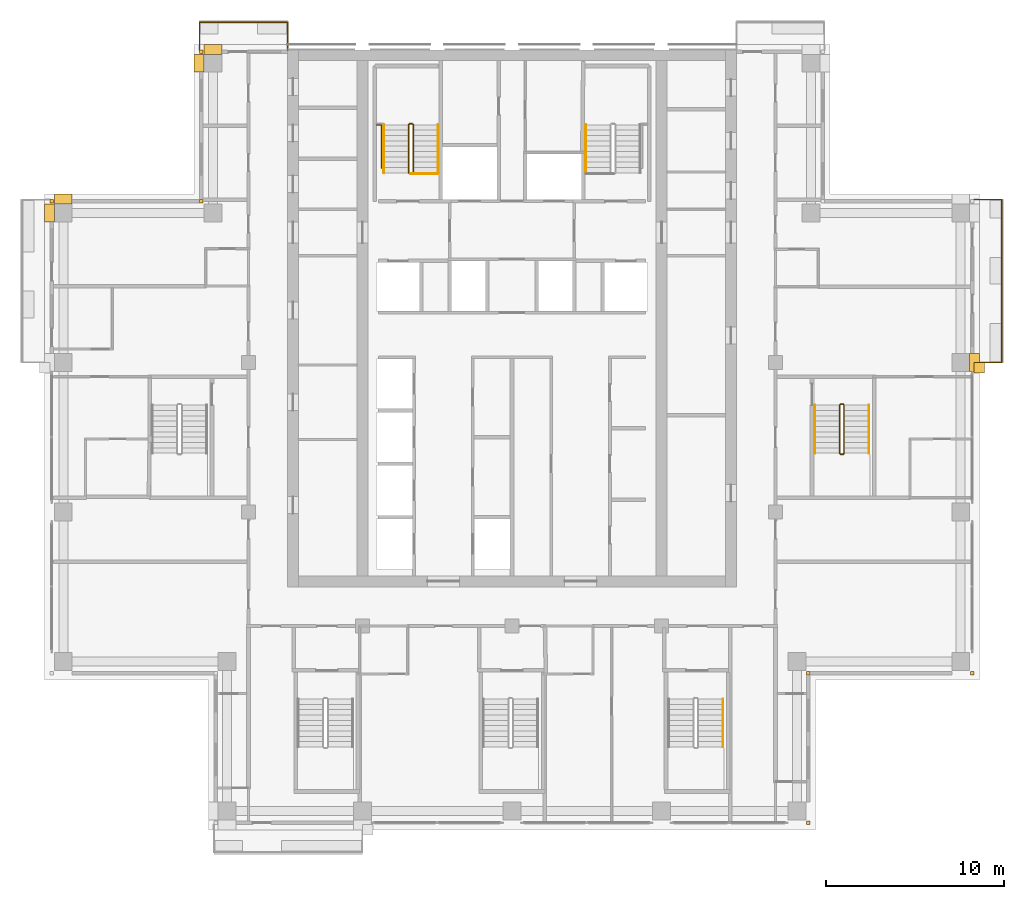
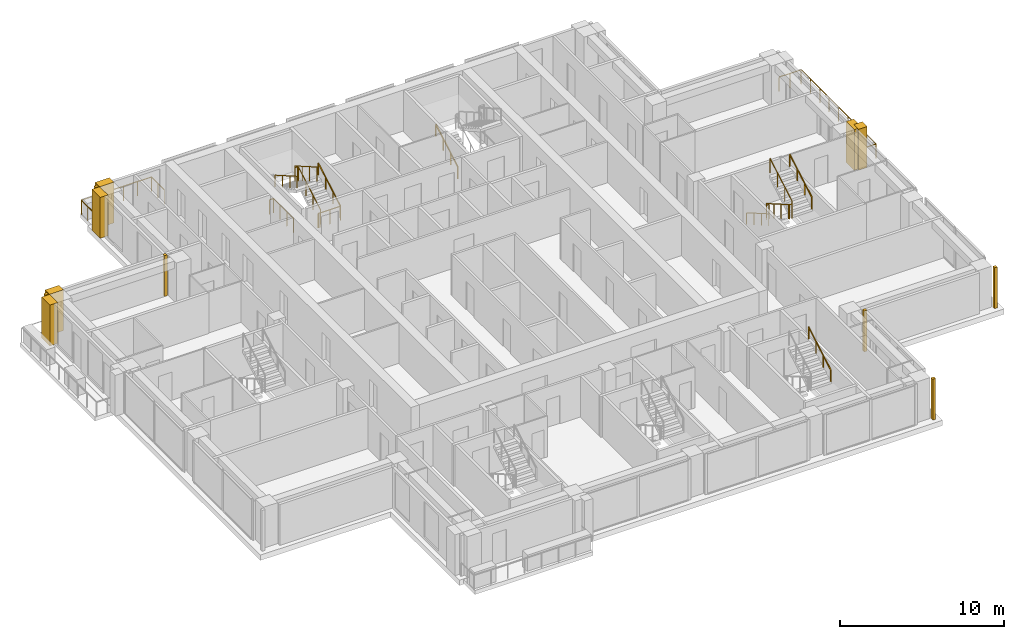
# One storey, part 15 of 16: 12 coverings, 12 railings.
"""IFC4 building model written with IfcOpenShell, lengths in metres."""

from ifc_helpers import new_model, si_unit, direction, frame, origin, origin_2d, place, context, subcontext, project, spatial, polyline, rectangle, outline, extrude, material, type_object, element, save


model = new_model("IFC4")

# Units and contexts
model_context = context("Model", 3, precision=1e-05, world=origin(), true_north=direction((0.0, 1.0)))
body_context = subcontext(model_context, "Body", "Model", "MODEL_VIEW")
ifc_project = project(units=[si_unit("LENGTHUNIT", "METRE"), si_unit("AREAUNIT", "SQUARE_METRE"), si_unit("VOLUMEUNIT", "CUBIC_METRE"), si_unit("PLANEANGLEUNIT", "RADIAN"), si_unit("MASSUNIT", "GRAM", prefix="KILO")], contexts=[model_context])

# Site, building, storey
site_placement = place(None, origin())
site = spatial("IfcSite", under=ifc_project, at=site_placement, CompositionType="ELEMENT")
building_placement = place(site_placement, origin())
building = spatial("IfcBuilding", under=site, at=building_placement, Name="Vermilion Ogive Tower", CompositionType="ELEMENT")
storey_placement = place(building_placement, frame((0.0, 0.0, 179.0)))
storey = spatial("IfcBuildingStorey", under=building, at=storey_placement, Name="L46", CompositionType="ELEMENT", Elevation=179.0)

# Railings
ifc_material_1 = material(Name="Stainless steel and glass", Category="steel")
railing_type_1 = type_object("IfcRailingType", Name="Balcony guard", PredefinedType="GUARDRAIL", material=ifc_material_1)
railing_1_placement = place(storey_placement, frame((25.949951171875, 4.199951171875, -0.0400390625)))
element("IfcRailing", 1, at=railing_1_placement, inside=storey, type_object=railing_type_1, Name="Guard E03", PredefinedType="GUARDRAIL", context=body_context, shape_type="SweptSolid", body=[
    extrude(rectangle(XDim=0.048095703125, YDim=0.048095703125, at=origin_2d()), frame((0.0, 0.0, 1.076171875), z_axis=(1.0, 0.0, 0.0), x_axis=(0.0, 1.0, 0.0)), (0.0, 0.0, 1.0), 1.56396484375),
    extrude(rectangle(XDim=0.048095703125, YDim=0.048095703125, at=origin_2d()), frame((1.56396484375, 0.0, 1.076171875), z_axis=(0.0, 1.0, 0.0), x_axis=(-1.0, 0.0, 0.0)), (0.0, 0.0, 1.0), 9.150146484375),
    extrude(rectangle(XDim=0.048095703125, YDim=0.048095703125, at=origin_2d()), frame((1.56396484375, 9.150146484375, 1.076171875), z_axis=(-1.0, 0.0, 0.0), x_axis=(0.0, -1.0, 0.0)), (0.0, 0.0, 1.0), 1.56396484375),
    extrude(rectangle(XDim=0.0419921875, YDim=0.0419921875, at=origin_2d()), origin(), (0.0, 0.0, 1.0), 1.052001953125),
    extrude(rectangle(XDim=0.0419921875, YDim=0.0419921875, at=origin_2d()), frame((0.781982421875, 0.0, 0.0)), (0.0, 0.0, 1.0), 1.052001953125),
    extrude(rectangle(XDim=0.0419921875, YDim=0.0419921875, at=origin_2d()), frame((1.56396484375, 0.0, 0.0)), (0.0, 0.0, 1.0), 1.052001953125),
    extrude(rectangle(XDim=0.0419921875, YDim=0.0419921875, at=origin_2d()), frame((1.56396484375, 1.143798828125, 0.0)), (0.0, 0.0, 1.0), 1.052001953125),
    extrude(rectangle(XDim=0.0419921875, YDim=0.0419921875, at=origin_2d()), frame((1.56396484375, 2.28759765625, 0.0)), (0.0, 0.0, 1.0), 1.052001953125),
    extrude(rectangle(XDim=0.0419921875, YDim=0.0419921875, at=origin_2d()), frame((1.56396484375, 3.431396484375, 0.0)), (0.0, 0.0, 1.0), 1.052001953125),
    extrude(rectangle(XDim=0.0419921875, YDim=0.0419921875, at=origin_2d()), frame((1.56396484375, 4.5751953125, 0.0)), (0.0, 0.0, 1.0), 1.052001953125),
    extrude(rectangle(XDim=0.0419921875, YDim=0.0419921875, at=origin_2d()), frame((1.56396484375, 5.71875, 0.0)), (0.0, 0.0, 1.0), 1.052001953125),
    extrude(rectangle(XDim=0.0419921875, YDim=0.0419921875, at=origin_2d()), frame((1.56396484375, 6.862548828125, 0.0)), (0.0, 0.0, 1.0), 1.052001953125),
    extrude(rectangle(XDim=0.0419921875, YDim=0.0419921875, at=origin_2d()), frame((1.56396484375, 8.00634765625, 0.0)), (0.0, 0.0, 1.0), 1.052001953125),
    extrude(rectangle(XDim=0.0419921875, YDim=0.0419921875, at=origin_2d()), frame((1.56396484375, 9.150146484375, 0.0)), (0.0, 0.0, 1.0), 1.052001953125),
    extrude(rectangle(XDim=0.0419921875, YDim=0.0419921875, at=origin_2d()), frame((0.781982421875, 9.150146484375, 0.0)), (0.0, 0.0, 1.0), 1.052001953125),
    extrude(rectangle(XDim=0.0419921875, YDim=0.0419921875, at=origin_2d()), frame((0.0, 9.150146484375, 0.0)), (0.0, 0.0, 1.0), 1.052001953125),
])
railing_2_placement = place(storey_placement, frame((-12.60009765625, 21.75, -0.0400390625)))
element("IfcRailing", 2, at=railing_2_placement, inside=storey, type_object=railing_type_1, Name="Guard N201", PredefinedType="GUARDRAIL", context=body_context, shape_type="SweptSolid", body=[
    extrude(rectangle(XDim=0.048095703125, YDim=0.048095703125, at=origin_2d()), frame((0.0, 0.0, 1.076171875), z_axis=(0.0, 1.0, 0.0), x_axis=(-1.0, 0.0, 0.0)), (0.0, 0.0, 1.0), 1.56396484375),
    extrude(rectangle(XDim=0.048095703125, YDim=0.048095703125, at=origin_2d()), frame((0.0, 1.56396484375, 1.076171875), z_axis=(-1.0, 0.0, 0.0), x_axis=(0.0, -1.0, 0.0)), (0.0, 0.0, 1.0), 4.949951171875),
    extrude(rectangle(XDim=0.048095703125, YDim=0.048095703125, at=origin_2d()), frame((-4.949951171875, 1.56396484375, 1.076171875), z_axis=(0.0, -1.0, 0.0), x_axis=(1.0, 0.0, 0.0)), (0.0, 0.0, 1.0), 1.56396484375),
    extrude(rectangle(XDim=0.0419921875, YDim=0.0419921875, at=origin_2d()), origin(), (0.0, 0.0, 1.0), 1.052001953125),
    extrude(rectangle(XDim=0.0419921875, YDim=0.0419921875, at=origin_2d()), frame((0.0, 0.781982421875, 0.0)), (0.0, 0.0, 1.0), 1.052001953125),
    extrude(rectangle(XDim=0.0419921875, YDim=0.0419921875, at=origin_2d()), frame((0.0, 1.56396484375, 0.0)), (0.0, 0.0, 1.0), 1.052001953125),
    extrude(rectangle(XDim=0.0419921875, YDim=0.0419921875, at=origin_2d()), frame((-0.989990234375, 1.56396484375, 0.0)), (0.0, 0.0, 1.0), 1.052001953125),
    extrude(rectangle(XDim=0.0419921875, YDim=0.0419921875, at=origin_2d()), frame((-1.97998046875, 1.56396484375, 0.0)), (0.0, 0.0, 1.0), 1.052001953125),
    extrude(rectangle(XDim=0.0419921875, YDim=0.0419921875, at=origin_2d()), frame((-2.969970703125, 1.56396484375, 0.0)), (0.0, 0.0, 1.0), 1.052001953125),
    extrude(rectangle(XDim=0.0419921875, YDim=0.0419921875, at=origin_2d()), frame((-3.9599609375, 1.56396484375, 0.0)), (0.0, 0.0, 1.0), 1.052001953125),
    extrude(rectangle(XDim=0.0419921875, YDim=0.0419921875, at=origin_2d()), frame((-4.949951171875, 1.56396484375, 0.0)), (0.0, 0.0, 1.0), 1.052001953125),
    extrude(rectangle(XDim=0.0419921875, YDim=0.0419921875, at=origin_2d()), frame((-4.949951171875, 0.781982421875, 0.0)), (0.0, 0.0, 1.0), 1.052001953125),
    extrude(rectangle(XDim=0.0419921875, YDim=0.0419921875, at=origin_2d()), frame((-4.949951171875, 0.0, 0.0)), (0.0, 0.0, 1.0), 1.052001953125),
])
ifc_material_2 = material(Name="Steel S355 painted", Category="steel")
railing_type_2 = type_object("IfcRailingType", Name="Stair guard 1100", PredefinedType="GUARDRAIL", material=ifc_material_2)
railing_3_placement = place(storey_placement, frame((-5.75, 14.800048828125, 0.0)))
element("IfcRailing", 3, at=railing_3_placement, inside=storey, type_object=railing_type_2, Name="L46 ST1 stair guard 4", PredefinedType="GUARDRAIL", context=body_context, shape_type="SweptSolid", body=[
    extrude(rectangle(XDim=0.048095703125, YDim=0.048095703125, at=origin_2d()), frame((0.0, 0.0, 1.076171875), z_axis=(1.0, 0.0, 0.0), x_axis=(0.0, 1.0, 0.0)), (0.0, 0.0, 1.0), 0.14990234375),
    extrude(rectangle(XDim=0.048095703125, YDim=0.048095703125, at=origin_2d()), frame((0.14990234375, 0.0, 1.076171875), z_axis=(0.268277960024, 0.268277960024, 0.925231793839), x_axis=(-0.707106781187, 0.707106781187, 0.0)), (0.0, 0.0, 1.0), 0.1865234375),
    extrude(rectangle(XDim=0.048095703125, YDim=0.048095703125, at=origin_2d()), frame((0.199951171875, 0.050048828125, 1.24853515625), z_axis=(0.0, 0.866903762492, 0.498475542607), x_axis=(-1.0, 0.0, 0.0)), (0.0, 0.0, 1.0), 3.114501953125),
    extrude(rectangle(XDim=0.048095703125, YDim=0.048095703125, at=origin_2d()), frame((0.199951171875, 2.75, 2.80126953125), z_axis=(-0.707106781187, 0.707106781187, 0.0), x_axis=(-0.707106781187, -0.707106781187, 0.0)), (0.0, 0.0, 1.0), 0.07080078125),
    extrude(rectangle(XDim=0.048095703125, YDim=0.048095703125, at=origin_2d()), frame((0.14990234375, 2.800048828125, 2.80126953125), z_axis=(-1.0, 0.0, 0.0), x_axis=(0.0, -1.0, 0.0)), (0.0, 0.0, 1.0), 0.14990234375),
    extrude(rectangle(XDim=0.048095703125, YDim=0.048095703125, at=origin_2d()), frame((0.0, 2.800048828125, 2.80126953125), z_axis=(-0.268603158521, -0.268603158521, 0.925043072762), x_axis=(0.707106781187, -0.707106781187, 0.0)), (0.0, 0.0, 1.0), 0.186279296875),
    extrude(rectangle(XDim=0.048095703125, YDim=0.048095703125, at=origin_2d()), frame((-0.050048828125, 2.75, 2.9736328125), z_axis=(0.0, -0.866903762492, 0.498475542607), x_axis=(1.0, 0.0, 0.0)), (0.0, 0.0, 1.0), 3.114501953125),
    extrude(rectangle(XDim=0.0419921875, YDim=0.0419921875, at=origin_2d()), origin(), (0.0, 0.0, 1.0), 1.052001953125),
    extrude(rectangle(XDim=0.0419921875, YDim=0.0419921875, at=origin_2d()), frame((0.14990234375, 0.0, 0.0)), (0.0, 0.0, 1.0), 1.052001953125),
    extrude(rectangle(XDim=0.0419921875, YDim=0.0419921875, at=origin_2d()), frame((0.199951171875, 0.050048828125, 0.172607421875)), (0.0, 0.0, 1.0), 1.052001953125),
    extrude(rectangle(XDim=0.0419921875, YDim=0.0419921875, at=origin_2d()), frame((0.199951171875, 0.949951171875, 0.690185546875)), (0.0, 0.0, 1.0), 1.052001953125),
    extrude(rectangle(XDim=0.0419921875, YDim=0.0419921875, at=origin_2d()), frame((0.199951171875, 1.85009765625, 1.20751953125)), (0.0, 0.0, 1.0), 1.052001953125),
    extrude(rectangle(XDim=0.0419921875, YDim=0.0419921875, at=origin_2d()), frame((0.199951171875, 2.75, 1.72509765625)), (0.0, 0.0, 1.0), 1.052001953125),
    extrude(rectangle(XDim=0.0419921875, YDim=0.0419921875, at=origin_2d()), frame((0.14990234375, 2.800048828125, 1.72509765625)), (0.0, 0.0, 1.0), 1.052001953125),
    extrude(rectangle(XDim=0.0419921875, YDim=0.0419921875, at=origin_2d()), frame((0.0, 2.800048828125, 1.72509765625)), (0.0, 0.0, 1.0), 1.052001953125),
    extrude(rectangle(XDim=0.0419921875, YDim=0.0419921875, at=origin_2d()), frame((-0.050048828125, 2.75, 1.8974609375)), (0.0, 0.0, 1.0), 1.052001953125),
    extrude(rectangle(XDim=0.0419921875, YDim=0.0419921875, at=origin_2d()), frame((-0.050048828125, 1.85009765625, 2.4150390625)), (0.0, 0.0, 1.0), 1.052001953125),
    extrude(rectangle(XDim=0.0419921875, YDim=0.0419921875, at=origin_2d()), frame((-0.050048828125, 0.949951171875, 2.932373046875)), (0.0, 0.0, 1.0), 1.052001953125),
    extrude(rectangle(XDim=0.0419921875, YDim=0.0419921875, at=origin_2d()), frame((-0.050048828125, 0.050048828125, 3.449951171875)), (0.0, 0.0, 1.0), 1.052001953125),
])
railing_4_placement = place(storey_placement, frame((18.60009765625, 1.85009765625, 0.0)))
element("IfcRailing", 4, at=railing_4_placement, inside=storey, type_object=railing_type_2, Name="L46 ST8 stair guard 4", PredefinedType="GUARDRAIL", context=body_context, shape_type="SweptSolid", body=[
    extrude(rectangle(XDim=0.048095703125, YDim=0.048095703125, at=origin_2d()), frame((0.0, 0.0, 1.076171875), z_axis=(-1.0, 0.0, 0.0), x_axis=(0.0, -1.0, 0.0)), (0.0, 0.0, 1.0), 0.150146484375),
    extrude(rectangle(XDim=0.048095703125, YDim=0.048095703125, at=origin_2d()), frame((-0.150146484375, 0.0, 1.076171875), z_axis=(-0.268277960024, -0.268277960024, 0.925231793839), x_axis=(0.707106781187, -0.707106781187, 0.0)), (0.0, 0.0, 1.0), 0.1865234375),
    extrude(rectangle(XDim=0.048095703125, YDim=0.048095703125, at=origin_2d()), frame((-0.2001953125, -0.050048828125, 1.24853515625), z_axis=(0.0, -0.866903762492, 0.498475542607), x_axis=(1.0, 0.0, 0.0)), (0.0, 0.0, 1.0), 3.114501953125),
    extrude(rectangle(XDim=0.048095703125, YDim=0.048095703125, at=origin_2d()), frame((-0.2001953125, -2.75, 2.80126953125), z_axis=(0.707106781187, -0.707106781187, 0.0), x_axis=(0.707106781187, 0.707106781187, 0.0)), (0.0, 0.0, 1.0), 0.07080078125),
    extrude(rectangle(XDim=0.048095703125, YDim=0.048095703125, at=origin_2d()), frame((-0.150146484375, -2.800048828125, 2.80126953125), z_axis=(1.0, 0.0, 0.0), x_axis=(0.0, 1.0, 0.0)), (0.0, 0.0, 1.0), 0.150146484375),
    extrude(rectangle(XDim=0.048095703125, YDim=0.048095703125, at=origin_2d()), frame((0.0, -2.800048828125, 2.80126953125), z_axis=(0.267386790225, 0.268697509785, 0.925368009307), x_axis=(-0.708833529934, 0.705375805398, 0.0)), (0.0, 0.0, 1.0), 0.186279296875),
    extrude(rectangle(XDim=0.048095703125, YDim=0.048095703125, at=origin_2d()), frame((0.0498046875, -2.75, 2.9736328125), z_axis=(0.0, 0.866903762492, 0.498475542607), x_axis=(-1.0, 0.0, 0.0)), (0.0, 0.0, 1.0), 3.114501953125),
    extrude(rectangle(XDim=0.0419921875, YDim=0.0419921875, at=origin_2d()), origin(), (0.0, 0.0, 1.0), 1.052001953125),
    extrude(rectangle(XDim=0.0419921875, YDim=0.0419921875, at=origin_2d()), frame((-0.150146484375, 0.0, 0.0)), (0.0, 0.0, 1.0), 1.052001953125),
    extrude(rectangle(XDim=0.0419921875, YDim=0.0419921875, at=origin_2d()), frame((-0.2001953125, -0.050048828125, 0.172607421875)), (0.0, 0.0, 1.0), 1.052001953125),
    extrude(rectangle(XDim=0.0419921875, YDim=0.0419921875, at=origin_2d()), frame((-0.2001953125, -0.949951171875, 0.690185546875)), (0.0, 0.0, 1.0), 1.052001953125),
    extrude(rectangle(XDim=0.0419921875, YDim=0.0419921875, at=origin_2d()), frame((-0.2001953125, -1.85009765625, 1.20751953125)), (0.0, 0.0, 1.0), 1.052001953125),
    extrude(rectangle(XDim=0.0419921875, YDim=0.0419921875, at=origin_2d()), frame((-0.2001953125, -2.75, 1.72509765625)), (0.0, 0.0, 1.0), 1.052001953125),
    extrude(rectangle(XDim=0.0419921875, YDim=0.0419921875, at=origin_2d()), frame((-0.150146484375, -2.800048828125, 1.72509765625)), (0.0, 0.0, 1.0), 1.052001953125),
    extrude(rectangle(XDim=0.0419921875, YDim=0.0419921875, at=origin_2d()), frame((0.0, -2.800048828125, 1.72509765625)), (0.0, 0.0, 1.0), 1.052001953125),
    extrude(rectangle(XDim=0.0419921875, YDim=0.0419921875, at=origin_2d()), frame((0.0498046875, -2.75, 1.8974609375)), (0.0, 0.0, 1.0), 1.052001953125),
    extrude(rectangle(XDim=0.0419921875, YDim=0.0419921875, at=origin_2d()), frame((0.0498046875, -1.85009765625, 2.4150390625)), (0.0, 0.0, 1.0), 1.052001953125),
    extrude(rectangle(XDim=0.0419921875, YDim=0.0419921875, at=origin_2d()), frame((0.0498046875, -0.949951171875, 2.932373046875)), (0.0, 0.0, 1.0), 1.052001953125),
    extrude(rectangle(XDim=0.0419921875, YDim=0.0419921875, at=origin_2d()), frame((0.0498046875, -0.050048828125, 3.449951171875)), (0.0, 0.0, 1.0), 1.052001953125),
])
railing_5_placement = place(storey_placement, frame((-4.159912109375, 14.7900390625, 0.0)))
element("IfcRailing", 5, at=railing_5_placement, inside=storey, type_object=railing_type_2, Name="L46 stair opening guard", PredefinedType="GUARDRAIL", context=body_context, shape_type="SweptSolid", body=[
    extrude(rectangle(XDim=0.048095703125, YDim=0.048095703125, at=origin_2d()), frame((0.0, 0.0, 1.076171875), z_axis=(-1.0, 0.0, 0.0), x_axis=(0.0, -1.0, 0.0)), (0.0, 0.0, 1.0), 1.5400390625),
    extrude(rectangle(XDim=0.0419921875, YDim=0.0419921875, at=origin_2d()), origin(), (0.0, 0.0, 1.0), 1.052001953125),
    extrude(rectangle(XDim=0.0419921875, YDim=0.0419921875, at=origin_2d()), frame((-0.77001953125, 0.0, 0.0)), (0.0, 0.0, 1.0), 1.052001953125),
    extrude(rectangle(XDim=0.0419921875, YDim=0.0419921875, at=origin_2d()), frame((-1.5400390625, 0.0, 0.0)), (0.0, 0.0, 1.0), 1.052001953125),
])
railing_6_placement = place(storey_placement, frame((-7.3095703125, 15.11865234375, 0.0)))
element("IfcRailing", 6, at=railing_6_placement, inside=storey, type_object=railing_type_2, Name="L46 stair opening guard", PredefinedType="GUARDRAIL", context=body_context, shape_type="SweptSolid", body=[
    extrude(rectangle(XDim=0.048095703125, YDim=0.048095703125, at=origin_2d()), frame((0.0, 0.0, 1.076171875), z_axis=(0.0, 1.0, 0.0), x_axis=(-1.0, 0.0, 0.0)), (0.0, 0.0, 1.0), 2.42431640625),
    extrude(rectangle(XDim=0.048095703125, YDim=0.048095703125, at=origin_2d()), frame((0.0, 2.42431640625, 1.076171875), z_axis=(-1.0, 0.0, 0.0), x_axis=(0.0, -1.0, 0.0)), (0.0, 0.0, 1.0), 0.2900390625),
    extrude(rectangle(XDim=0.0419921875, YDim=0.0419921875, at=origin_2d()), origin(), (0.0, 0.0, 1.0), 1.052001953125),
    extrude(rectangle(XDim=0.0419921875, YDim=0.0419921875, at=origin_2d()), frame((0.0, 0.80810546875, 0.0)), (0.0, 0.0, 1.0), 1.052001953125),
    extrude(rectangle(XDim=0.0419921875, YDim=0.0419921875, at=origin_2d()), frame((0.0, 1.6162109375, 0.0)), (0.0, 0.0, 1.0), 1.052001953125),
    extrude(rectangle(XDim=0.0419921875, YDim=0.0419921875, at=origin_2d()), frame((0.0, 2.42431640625, 0.0)), (0.0, 0.0, 1.0), 1.052001953125),
    extrude(rectangle(XDim=0.0419921875, YDim=0.0419921875, at=origin_2d()), frame((-0.2900390625, 2.42431640625, 0.0)), (0.0, 0.0, 1.0), 1.052001953125),
])
ifc_material_3 = material(Name="Stainless steel", Category="steel")
railing_type_3 = type_object("IfcRailingType", Name="Stair handrail 900", PredefinedType="HANDRAIL", material=ifc_material_3)
railing_7_placement = place(storey_placement, frame((-4.14990234375, 14.85009765625, 0.172607421875)))
element("IfcRailing", 7, at=railing_7_placement, inside=storey, type_object=railing_type_3, Name="L46 ST1 stair handrail 1", PredefinedType="HANDRAIL", context=body_context, shape_type="SweptSolid", body=[
    extrude(rectangle(XDim=0.048095703125, YDim=0.048095703125, at=origin_2d()), frame((0.0, 0.0, 0.8759765625), z_axis=(0.0, 0.866903762492, 0.498475542607), x_axis=(-1.0, 0.0, 0.0)), (0.0, 0.0, 1.0), 3.114501953125),
    extrude(rectangle(XDim=0.0419921875, YDim=0.0419921875, at=origin_2d()), origin(), (0.0, 0.0, 1.0), 0.851806640625),
    extrude(rectangle(XDim=0.0419921875, YDim=0.0419921875, at=origin_2d()), frame((0.0, 0.89990234375, 0.517578125)), (0.0, 0.0, 1.0), 0.851806640625),
    extrude(rectangle(XDim=0.0419921875, YDim=0.0419921875, at=origin_2d()), frame((0.0, 1.800048828125, 1.034912109375)), (0.0, 0.0, 1.0), 0.851806640625),
    extrude(rectangle(XDim=0.0419921875, YDim=0.0419921875, at=origin_2d()), frame((0.0, 2.699951171875, 1.552490234375)), (0.0, 0.0, 1.0), 0.851806640625),
])
railing_8_placement = place(storey_placement, frame((-7.199951171875, 17.550048828125, 1.8974609375)))
element("IfcRailing", 8, at=railing_8_placement, inside=storey, type_object=railing_type_3, Name="L46 ST1 stair handrail 2", PredefinedType="HANDRAIL", context=body_context, shape_type="SweptSolid", body=[
    extrude(rectangle(XDim=0.048095703125, YDim=0.048095703125, at=origin_2d()), frame((0.0, 0.0, 0.8759765625), z_axis=(0.0, -0.866903762492, 0.498475542607), x_axis=(1.0, 0.0, 0.0)), (0.0, 0.0, 1.0), 3.114501953125),
    extrude(rectangle(XDim=0.0419921875, YDim=0.0419921875, at=origin_2d()), origin(), (0.0, 0.0, 1.0), 0.851806640625),
    extrude(rectangle(XDim=0.0419921875, YDim=0.0419921875, at=origin_2d()), frame((0.0, -0.89990234375, 0.517578125)), (0.0, 0.0, 1.0), 0.851806640625),
    extrude(rectangle(XDim=0.0419921875, YDim=0.0419921875, at=origin_2d()), frame((0.0, -1.800048828125, 1.034912109375)), (0.0, 0.0, 1.0), 0.851806640625),
    extrude(rectangle(XDim=0.0419921875, YDim=0.0419921875, at=origin_2d()), frame((0.0, -2.699951171875, 1.552490234375)), (0.0, 0.0, 1.0), 0.851806640625),
])
for number, where, name in (
    (9, (4.14990234375, 14.85009765625, 0.172607421875), "L46 ST2 stair handrail 1"),
    (10, (11.85009765625, -17.39990234375, 1.8974609375), "L46 ST5 stair handrail 2"),
):
    element("IfcRailing", number, at=place(storey_placement, frame(where)), inside=storey, type_object=railing_type_3, Name=name, PredefinedType="HANDRAIL", context=body_context, shape_type="SweptSolid", body=[
        extrude(rectangle(XDim=0.048095703125, YDim=0.048095703125, at=origin_2d()), frame((0.0, 0.0, 0.8759765625), z_axis=(0.0, 0.866903762492, 0.498475542607), x_axis=(-1.0, 0.0, 0.0)), (0.0, 0.0, 1.0), 3.114501953125),
        extrude(rectangle(XDim=0.0419921875, YDim=0.0419921875, at=origin_2d()), origin(), (0.0, 0.0, 1.0), 0.851806640625),
        extrude(rectangle(XDim=0.0419921875, YDim=0.0419921875, at=origin_2d()), frame((0.0, 0.89990234375, 0.517578125)), (0.0, 0.0, 1.0), 0.851806640625),
        extrude(rectangle(XDim=0.0419921875, YDim=0.0419921875, at=origin_2d()), frame((0.0, 1.800048828125, 1.034912109375)), (0.0, 0.0, 1.0), 0.851806640625),
        extrude(rectangle(XDim=0.0419921875, YDim=0.0419921875, at=origin_2d()), frame((0.0, 2.699951171875, 1.552490234375)), (0.0, 0.0, 1.0), 0.851806640625),
    ])
railing_9_placement = place(storey_placement, frame((17.0, 1.800048828125, 0.172607421875)))
element("IfcRailing", 11, at=railing_9_placement, inside=storey, type_object=railing_type_3, Name="L46 ST8 stair handrail 1", PredefinedType="HANDRAIL", context=body_context, shape_type="SweptSolid", body=[
    extrude(rectangle(XDim=0.048095703125, YDim=0.048095703125, at=origin_2d()), frame((0.0, 0.0, 0.8759765625), z_axis=(0.0, -0.866903762492, 0.498475542607), x_axis=(1.0, 0.0, 0.0)), (0.0, 0.0, 1.0), 3.114501953125),
    extrude(rectangle(XDim=0.0419921875, YDim=0.0419921875, at=origin_2d()), origin(), (0.0, 0.0, 1.0), 0.851806640625),
    extrude(rectangle(XDim=0.0419921875, YDim=0.0419921875, at=origin_2d()), frame((0.0, -0.89990234375, 0.517578125)), (0.0, 0.0, 1.0), 0.851806640625),
    extrude(rectangle(XDim=0.0419921875, YDim=0.0419921875, at=origin_2d()), frame((0.0, -1.800048828125, 1.034912109375)), (0.0, 0.0, 1.0), 0.851806640625),
    extrude(rectangle(XDim=0.0419921875, YDim=0.0419921875, at=origin_2d()), frame((0.0, -2.699951171875, 1.552490234375)), (0.0, 0.0, 1.0), 0.851806640625),
])
railing_10_placement = place(storey_placement, frame((20.050048828125, -0.89990234375, 1.8974609375)))
element("IfcRailing", 12, at=railing_10_placement, inside=storey, type_object=railing_type_3, Name="L46 ST8 stair handrail 2", PredefinedType="HANDRAIL", context=body_context, shape_type="SweptSolid", body=[
    extrude(rectangle(XDim=0.048095703125, YDim=0.048095703125, at=origin_2d()), frame((0.0, 0.0, 0.8759765625), z_axis=(0.0, 0.866903762492, 0.498475542607), x_axis=(-1.0, 0.0, 0.0)), (0.0, 0.0, 1.0), 3.114501953125),
    extrude(rectangle(XDim=0.0419921875, YDim=0.0419921875, at=origin_2d()), origin(), (0.0, 0.0, 1.0), 0.851806640625),
    extrude(rectangle(XDim=0.0419921875, YDim=0.0419921875, at=origin_2d()), frame((0.0, 0.89990234375, 0.517578125)), (0.0, 0.0, 1.0), 0.851806640625),
    extrude(rectangle(XDim=0.0419921875, YDim=0.0419921875, at=origin_2d()), frame((0.0, 1.800048828125, 1.034912109375)), (0.0, 0.0, 1.0), 0.851806640625),
    extrude(rectangle(XDim=0.0419921875, YDim=0.0419921875, at=origin_2d()), frame((0.0, 2.699951171875, 1.552490234375)), (0.0, 0.0, 1.0), 0.851806640625),
])

# Coverings
ifc_material_4 = material(Name="Stone cladding", Category="masonry")
covering_type_1 = type_object("IfcCoveringType", Name="Stone corner buttress", PredefinedType="CLADDING", material=ifc_material_4)
covering_1_placement = place(storey_placement, origin())
element("IfcCovering", 13, at=covering_1_placement, inside=storey, type_object=covering_type_1, Name="Stone crease pier EK", PredefinedType="CLADDING", context=body_context, shape_type="SweptSolid", body=[
    extrude(outline(polyline([(26.550048828125, 3.60009765625), (26.550048828125, 4.199951171875), (25.949951171875, 4.199951171875), (25.949951171875, 3.60009765625), (26.550048828125, 3.60009765625)])), origin(), (0.0, 0.0, 1.0), 3.050048828125),
])
ifc_material_5 = material(Name="Stone cladding", Category="masonry")
covering_type_2 = type_object("IfcCoveringType", Name="Stone pier", PredefinedType="CLADDING", material=ifc_material_5)
covering_2_placement = place(storey_placement, origin())
element("IfcCovering", 14, at=covering_2_placement, inside=storey, type_object=covering_type_2, Name="Stone corner pier SE1", PredefinedType="CLADDING", context=body_context, shape_type="SweptSolid", body=[
    extrude(outline(polyline([(16.550048828125, -21.550048828125), (16.75, -21.550048828125), (16.75, -21.75), (16.550048828125, -21.75), (16.550048828125, -21.550048828125)])), origin(), (0.0, 0.0, 1.0), 3.050048828125),
])
covering_3_placement = place(storey_placement, origin())
element("IfcCovering", 15, at=covering_3_placement, inside=storey, type_object=covering_type_2, Name="Stone corner pier X1E1", PredefinedType="CLADDING", context=body_context, shape_type="SweptSolid", body=[
    extrude(outline(polyline([(16.550048828125, -13.14990234375), (16.75, -13.14990234375), (16.75, -13.35009765625), (16.550048828125, -13.35009765625), (16.550048828125, -13.14990234375)])), origin(), (0.0, 0.0, 1.0), 3.050048828125),
])
covering_4_placement = place(storey_placement, origin())
element("IfcCovering", 16, at=covering_4_placement, inside=storey, type_object=covering_type_2, Name="Stone corner pier X2E1", PredefinedType="CLADDING", context=body_context, shape_type="SweptSolid", body=[
    extrude(outline(polyline([(25.75, -13.14990234375), (25.949951171875, -13.14990234375), (25.949951171875, -13.35009765625), (25.75, -13.35009765625), (25.75, -13.14990234375)])), origin(), (0.0, 0.0, 1.0), 3.050048828125),
])
covering_5_placement = place(storey_placement, origin())
element("IfcCovering", 17, at=covering_5_placement, inside=storey, type_object=covering_type_2, Name="Stone corner pier N2E1", PredefinedType="CLADDING", context=body_context, shape_type="SweptSolid", body=[
    extrude(outline(polyline([(-17.35009765625, 21.550048828125), (-17.550048828125, 21.550048828125), (-17.550048828125, 21.75), (-17.35009765625, 21.75), (-17.35009765625, 21.550048828125)])), origin(), (0.0, 0.0, 1.0), 3.050048828125),
])
covering_6_placement = place(storey_placement, origin())
element("IfcCovering", 18, at=covering_6_placement, inside=storey, type_object=covering_type_2, Name="Stone corner pier X5E1", PredefinedType="CLADDING", context=body_context, shape_type="SweptSolid", body=[
    extrude(outline(polyline([(-17.35009765625, 13.14990234375), (-17.550048828125, 13.14990234375), (-17.550048828125, 13.35009765625), (-17.35009765625, 13.35009765625), (-17.35009765625, 13.14990234375)])), origin(), (0.0, 0.0, 1.0), 3.050048828125),
])
covering_7_placement = place(storey_placement, origin())
element("IfcCovering", 19, at=covering_7_placement, inside=storey, type_object=covering_type_2, Name="Stone corner pier X6E1", PredefinedType="CLADDING", context=body_context, shape_type="SweptSolid", body=[
    extrude(outline(polyline([(-25.75, 13.14990234375), (-25.949951171875, 13.14990234375), (-25.949951171875, 13.35009765625), (-25.75, 13.35009765625), (-25.75, 13.14990234375)])), origin(), (0.0, 0.0, 1.0), 3.050048828125),
])
covering_8_placement = place(storey_placement, origin())
element("IfcCovering", 20, at=covering_8_placement, inside=storey, type_object=covering_type_2, Name="Stone pier P+0252+042", PredefinedType="CLADDING", context=body_context, shape_type="SweptSolid", body=[
    extrude(outline(polyline([(25.699951171875, 4.699951171875), (26.25, 4.699951171875), (26.25, 4.199951171875), (25.949951171875, 4.199951171875), (25.949951171875, 3.699951171875), (25.699951171875, 3.699951171875), (25.699951171875, 4.699951171875), (25.699951171875, 4.699951171875)])), origin(), (0.0, 0.0, 1.0), 3.050048828125),
])
covering_9_placement = place(storey_placement, origin())
element("IfcCovering", 21, at=covering_9_placement, inside=storey, type_object=covering_type_2, Name="Stone pier P-0168+210N2", PredefinedType="CLADDING", context=body_context, shape_type="SweptSolid", body=[
    extrude(outline(polyline([(-17.300048828125, 21.5), (-17.300048828125, 22.050048828125), (-16.300048828125, 22.050048828125), (-16.300048828125, 21.5), (-17.300048828125, 21.5), (-17.300048828125, 21.5)])), origin(), (0.0, 0.0, 1.0), 3.050048828125),
])
covering_10_placement = place(storey_placement, origin())
element("IfcCovering", 22, at=covering_10_placement, inside=storey, type_object=covering_type_2, Name="Stone pier P-0168+210X5", PredefinedType="CLADDING", context=body_context, shape_type="SweptSolid", body=[
    extrude(outline(polyline([(-17.85009765625, 21.5), (-17.300048828125, 21.5), (-17.300048828125, 21.5), (-17.300048828125, 20.5), (-17.85009765625, 20.5), (-17.85009765625, 21.5)])), origin(), (0.0, 0.0, 1.0), 3.050048828125),
])
covering_11_placement = place(storey_placement, origin())
element("IfcCovering", 23, at=covering_11_placement, inside=storey, type_object=covering_type_2, Name="Stone pier P-0252+126X6", PredefinedType="CLADDING", context=body_context, shape_type="SweptSolid", body=[
    extrude(outline(polyline([(-25.699951171875, 13.10009765625), (-25.699951171875, 13.64990234375), (-24.699951171875, 13.64990234375), (-24.699951171875, 13.10009765625), (-24.699951171875, 13.10009765625), (-25.699951171875, 13.10009765625)])), origin(), (0.0, 0.0, 1.0), 3.050048828125),
])
covering_12_placement = place(storey_placement, origin())
element("IfcCovering", 24, at=covering_12_placement, inside=storey, type_object=covering_type_2, Name="Stone pier P-0252+126W", PredefinedType="CLADDING", context=body_context, shape_type="SweptSolid", body=[
    extrude(outline(polyline([(-26.25, 13.10009765625), (-25.699951171875, 13.10009765625), (-25.699951171875, 12.10009765625), (-26.25, 12.10009765625), (-26.25, 13.10009765625)])), origin(), (0.0, 0.0, 1.0), 3.050048828125),
])

save(model, "model.ifc")
